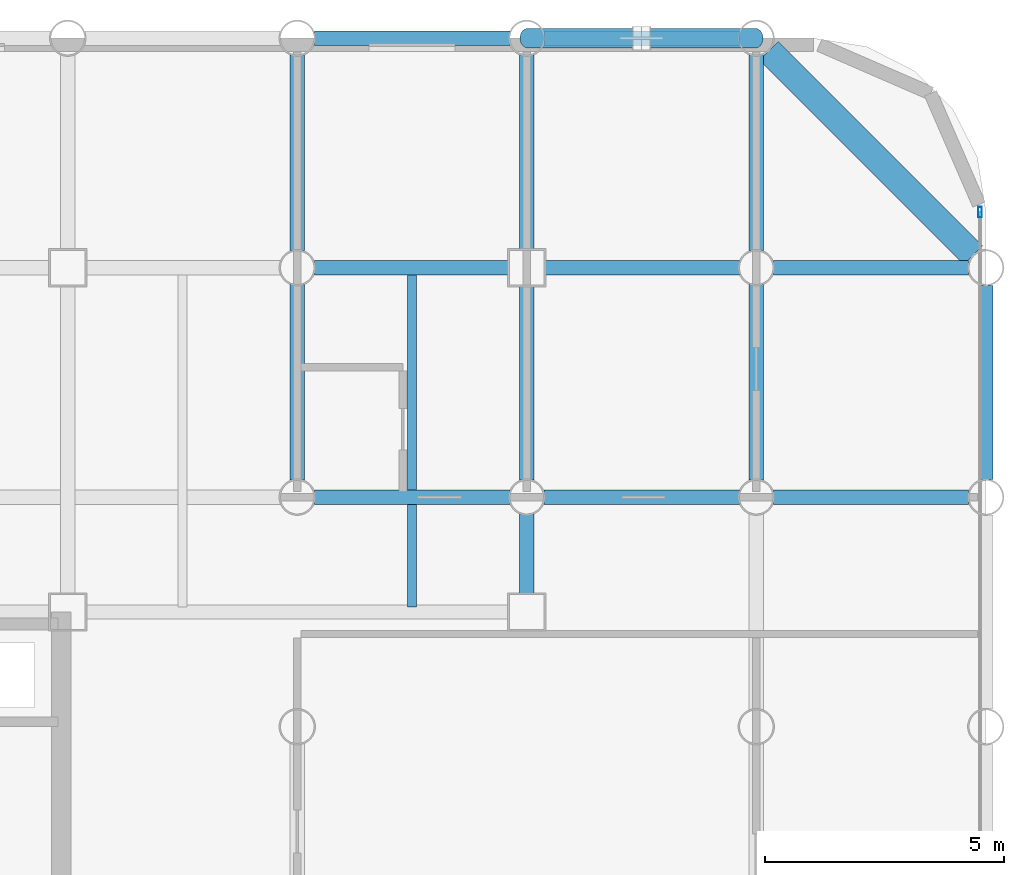
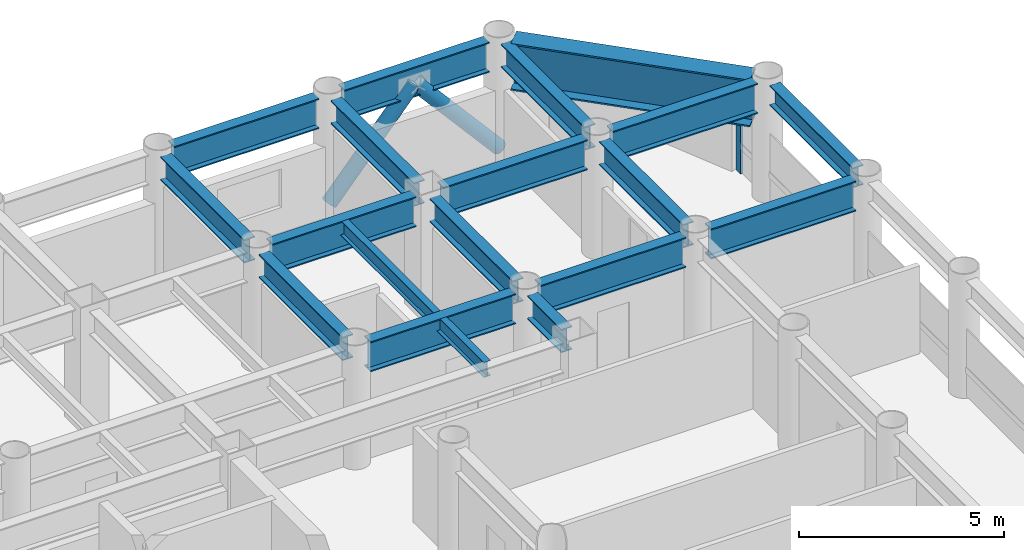
# One storey, part 13 of 19: 18 beams, 3 members, 1 element without a shape of its own.
"""IFC4 building model written with IfcOpenShell, lengths in metres."""

from ifc_helpers import new_model, si_unit, direction, frame, origin, origin_2d, place, context, subcontext, project, spatial, hollow_rectangle, hollow_circle, i_section, extrude, material, layer, layer_set, material_profile, profile_set, type_object, element, aggregate, save


model = new_model("IFC4")

# Units and contexts
model_context = context("Model", 3, precision=1e-05, world=origin(), true_north=direction((0.0, 1.0)))
body_context = subcontext(model_context, "Body", "Model", "MODEL_VIEW")
ifc_project = project(units=[si_unit("LENGTHUNIT", "METRE"), si_unit("AREAUNIT", "SQUARE_METRE"), si_unit("VOLUMEUNIT", "CUBIC_METRE"), si_unit("PLANEANGLEUNIT", "RADIAN"), si_unit("MASSUNIT", "GRAM", prefix="KILO")], contexts=[model_context])

# Site, building, storey
site_placement = place(None, origin())
site = spatial("IfcSite", under=ifc_project, at=site_placement, CompositionType="ELEMENT")
building_placement = place(site_placement, origin())
building = spatial("IfcBuilding", under=site, at=building_placement, Name="Kallvorn Hotel Tower", CompositionType="ELEMENT")
storey_placement = place(building_placement, frame((0.0, 0.0, 63.300048828125)))
storey = spatial("IfcBuildingStorey", under=building, at=storey_placement, Name="L14", CompositionType="ELEMENT", Elevation=63.300048828125)

# Beams
ifc_material_1 = material(Name="Structural steel S355JR", Category="steel")
ifc_material_profile_1 = material_profile(ifc_material_1, i_section(OverallWidth=0.300048828125, OverallDepth=0.60009765625, WebThickness=0.015380859375, FlangeThickness=0.030029296875, at=origin_2d()), Name="HE 600 B")
ifc_profile_set_1 = profile_set([ifc_material_profile_1], Name="Structural steel S355JR")
beam_type_1 = type_object("IfcBeamType", Name="BM_HE600B", PredefinedType="SPANDREL", material=ifc_profile_set_1)
beam_1_placement = place(storey_placement, frame((33.60009765625, 9.970947265625, 3.219970703125), z_axis=(0.0, 1.0, 0.0), x_axis=(-1.0, 0.0, 0.0)))
element("IfcBeam", 1, at=beam_1_placement, inside=storey, type_object=beam_type_1, Name="L15 Perimeter Spandrel 188", PredefinedType="SPANDREL", context=body_context, shape_type="SweptSolid", body=[
    extrude(i_section(OverallWidth=0.300048828125, OverallDepth=0.60009765625, WebThickness=0.015380859375, FlangeThickness=0.030029296875, at=origin_2d()), origin(), (0.0, 0.0, 1.0), 4.05810546875),
])
ifc_material_2 = material(Name="Structural steel S355JR", Category="steel")
ifc_material_profile_2 = material_profile(ifc_material_2, i_section(OverallWidth=0.300048828125, OverallDepth=0.699951171875, WebThickness=0.01708984375, FlangeThickness=0.031982421875, at=origin_2d()), Name="HE 700 B")
ifc_profile_set_2 = profile_set([ifc_material_profile_2], Name="Structural steel S355JR")
beam_type_2 = type_object("IfcBeamType", Name="BM_HE700B", PredefinedType="BEAM", material=ifc_profile_set_2)
for number, where, z_axis, x_axis, name in (
    (2, (19.199951171875, 9.9560546875, 3.169921875), (0.0, 1.0, 0.0), (-1.0, 0.0, 0.0), "L15 Primary Y-Girder 133"),
    (3, (19.199951171875, 14.756103515625, 3.169921875), (0.0, 1.0, 0.0), (-1.0, 0.0, 0.0), "L15 Primary Y-Girder 134"),
):
    element("IfcBeam", number, at=place(storey_placement, frame(where, z_axis=z_axis, x_axis=x_axis)), inside=storey, type_object=beam_type_2, Name=name, PredefinedType="BEAM", context=body_context, shape_type="SweptSolid", body=[
        extrude(i_section(OverallWidth=0.300048828125, OverallDepth=0.699951171875, WebThickness=0.01708984375, FlangeThickness=0.031982421875, at=origin_2d()), origin(), (0.0, 0.0, 1.0), 4.087890625),
    ])
beam_2_placement = place(storey_placement, frame((24.0, 7.574951171875, 3.169921875), z_axis=(0.0, 1.0, 0.0), x_axis=(-1.0, 0.0, 0.0)))
element("IfcBeam", 4, at=beam_2_placement, inside=storey, type_object=beam_type_2, Name="L15 Primary Y-Girder 139", PredefinedType="BEAM", context=body_context, shape_type="SweptSolid", body=[
    extrude(i_section(OverallWidth=0.300048828125, OverallDepth=0.699951171875, WebThickness=0.01708984375, FlangeThickness=0.031982421875, at=origin_2d()), origin(), (0.0, 0.0, 1.0), 1.6689453125),
])
beam_3_placement = place(storey_placement, frame((24.0, 9.9560546875, 3.169921875), z_axis=(0.0, 1.0, 0.0), x_axis=(-1.0, 0.0, 0.0)))
element("IfcBeam", 5, at=beam_3_placement, inside=storey, type_object=beam_type_2, Name="L15 Primary Y-Girder 140", PredefinedType="BEAM", context=body_context, shape_type="SweptSolid", body=[
    extrude(i_section(OverallWidth=0.300048828125, OverallDepth=0.699951171875, WebThickness=0.01708984375, FlangeThickness=0.031982421875, at=origin_2d()), origin(), (0.0, 0.0, 1.0), 4.06884765625),
])
beam_4_placement = place(storey_placement, frame((24.0, 14.77490234375, 3.169921875), z_axis=(0.0, 1.0, 0.0), x_axis=(-1.0, 0.0, 0.0)))
element("IfcBeam", 6, at=beam_4_placement, inside=storey, type_object=beam_type_2, Name="L15 Primary Y-Girder 141", PredefinedType="BEAM", context=body_context, shape_type="SweptSolid", body=[
    extrude(i_section(OverallWidth=0.300048828125, OverallDepth=0.699951171875, WebThickness=0.01708984375, FlangeThickness=0.031982421875, at=origin_2d()), origin(), (0.0, 0.0, 1.0), 4.069091796875),
])
for number, where, z_axis, x_axis, name in (
    (7, (28.800048828125, 9.9560546875, 3.169921875), (0.0, 1.0, 0.0), (-1.0, 0.0, 0.0), "L15 Primary Y-Girder 149"),
    (8, (28.800048828125, 14.756103515625, 3.169921875), (0.0, 1.0, 0.0), (-1.0, 0.0, 0.0), "L15 Primary Y-Girder 150"),
):
    element("IfcBeam", number, at=place(storey_placement, frame(where, z_axis=z_axis, x_axis=x_axis)), inside=storey, type_object=beam_type_2, Name=name, PredefinedType="BEAM", context=body_context, shape_type="SweptSolid", body=[
        extrude(i_section(OverallWidth=0.300048828125, OverallDepth=0.699951171875, WebThickness=0.01708984375, FlangeThickness=0.031982421875, at=origin_2d()), origin(), (0.0, 0.0, 1.0), 4.087890625),
    ])
ifc_material_3 = material(Name="Structural steel S355JR", Category="steel")
ifc_material_profile_3 = material_profile(ifc_material_3, i_section(OverallWidth=0.300048828125, OverallDepth=0.89990234375, WebThickness=0.0185546875, FlangeThickness=0.034912109375, at=origin_2d()), Name="HE 900 B")
ifc_profile_set_3 = profile_set([ifc_material_profile_3], Name="Structural steel S355JR")
beam_type_3 = type_object("IfcBeamType", Name="BM_HE900B", PredefinedType="BEAM", material=ifc_profile_set_3)
for number, where, z_axis, x_axis, name in (
    (9, (19.555908203125, 9.60009765625, 3.070068359375), (1.0, 0.0, 0.0), (0.0, 1.0, 0.0), "L15 Primary X-Girder 48"),
    (10, (24.35595703125, 9.60009765625, 3.070068359375), (1.0, 0.0, 0.0), (0.0, 1.0, 0.0), "L15 Primary X-Girder 49"),
):
    element("IfcBeam", number, at=place(storey_placement, frame(where, z_axis=z_axis, x_axis=x_axis)), inside=storey, type_object=beam_type_3, Name=name, PredefinedType="BEAM", context=body_context, shape_type="SweptSolid", body=[
        extrude(i_section(OverallWidth=0.300048828125, OverallDepth=0.89990234375, WebThickness=0.0185546875, FlangeThickness=0.034912109375, at=origin_2d()), origin(), (0.0, 0.0, 1.0), 4.088134765625),
    ])
beam_5_placement = place(storey_placement, frame((29.156005859375, 9.60009765625, 3.070068359375), z_axis=(1.0, 0.0, 0.0), x_axis=(0.0, 1.0, 0.0)))
element("IfcBeam", 11, at=beam_5_placement, inside=storey, type_object=beam_type_3, Name="L15 Primary X-Girder 50", PredefinedType="BEAM", context=body_context, shape_type="SweptSolid", body=[
    extrude(i_section(OverallWidth=0.300048828125, OverallDepth=0.89990234375, WebThickness=0.0185546875, FlangeThickness=0.034912109375, at=origin_2d()), origin(), (0.0, 0.0, 1.0), 4.087890625),
])
for number, where, z_axis, x_axis, name in (
    (12, (19.555908203125, 14.39990234375, 3.070068359375), (1.0, 0.0, 0.0), (0.0, 1.0, 0.0), "L15 Primary X-Girder 58"),
    (13, (24.375, 14.39990234375, 3.070068359375), (1.0, 0.0, 0.0), (0.0, 1.0, 0.0), "L15 Primary X-Girder 59"),
):
    element("IfcBeam", number, at=place(storey_placement, frame(where, z_axis=z_axis, x_axis=x_axis)), inside=storey, type_object=beam_type_3, Name=name, PredefinedType="BEAM", context=body_context, shape_type="SweptSolid", body=[
        extrude(i_section(OverallWidth=0.300048828125, OverallDepth=0.89990234375, WebThickness=0.0185546875, FlangeThickness=0.034912109375, at=origin_2d()), origin(), (0.0, 0.0, 1.0), 4.069091796875),
    ])
beam_6_placement = place(storey_placement, frame((29.156005859375, 14.39990234375, 3.070068359375), z_axis=(1.0, 0.0, 0.0), x_axis=(0.0, 1.0, 0.0)))
element("IfcBeam", 14, at=beam_6_placement, inside=storey, type_object=beam_type_3, Name="L15 Primary X-Girder 60", PredefinedType="BEAM", context=body_context, shape_type="SweptSolid", body=[
    extrude(i_section(OverallWidth=0.300048828125, OverallDepth=0.89990234375, WebThickness=0.0185546875, FlangeThickness=0.034912109375, at=origin_2d()), origin(), (0.0, 0.0, 1.0), 4.087890625),
])
for number, where, z_axis, x_axis, name in (
    (15, (19.555908203125, 19.199951171875, 3.070068359375), (1.0, 0.0, 0.0), (0.0, 1.0, 0.0), "L15 Primary X-Girder 71"),
    (16, (24.35595703125, 19.199951171875, 3.070068359375), (1.0, 0.0, 0.0), (0.0, 1.0, 0.0), "L15 Primary X-Girder 72"),
):
    element("IfcBeam", number, at=place(storey_placement, frame(where, z_axis=z_axis, x_axis=x_axis)), inside=storey, type_object=beam_type_3, Name=name, PredefinedType="BEAM", context=body_context, shape_type="SweptSolid", body=[
        extrude(i_section(OverallWidth=0.300048828125, OverallDepth=0.89990234375, WebThickness=0.0185546875, FlangeThickness=0.034912109375, at=origin_2d()), origin(), (0.0, 0.0, 1.0), 4.088134765625),
    ])
ifc_material_4 = material(Name="Structural steel S355JR", Category="steel")
ifc_material_profile_4 = material_profile(ifc_material_4, i_section(OverallWidth=0.18994140625, OverallDepth=0.449951171875, WebThickness=0.009521484375, FlangeThickness=0.0146484375, at=origin_2d()), Name="IPE 450")
ifc_profile_set_4 = profile_set([ifc_material_profile_4], Name="Structural steel S355JR")
beam_type_4 = type_object("IfcBeamType", Name="BM_IPE450", PredefinedType="JOIST", material=ifc_profile_set_4)
beam_7_placement = place(storey_placement, frame((21.60009765625, 7.300048828125, 3.294921875), z_axis=(0.0, 1.0, 0.0), x_axis=(-1.0, 0.0, 0.0)))
element("IfcBeam", 17, at=beam_7_placement, inside=storey, type_object=beam_type_4, Name="L15 Secondary Composite Joist 209", PredefinedType="JOIST", context=body_context, shape_type="SweptSolid", body=[
    extrude(i_section(OverallWidth=0.18994140625, OverallDepth=0.449951171875, WebThickness=0.009521484375, FlangeThickness=0.0146484375, at=origin_2d()), origin(), (0.0, 0.0, 1.0), 7.0),
])
ifc_material_5 = material(Name="Structural steel S355JR", Category="steel")
ifc_material_profile_5 = material_profile(ifc_material_5, i_section(OverallWidth=0.550048828125, OverallDepth=1.39990234375, WebThickness=0.02490234375, FlangeThickness=0.044921875, at=origin_2d()), Name="PG 1400x550x25x45")
ifc_profile_set_5 = profile_set([ifc_material_profile_5], Name="Structural steel S355JR")
beam_type_5 = type_object("IfcBeamType", Name="BM_PG_1400", PredefinedType="BEAM", material=ifc_profile_set_5)
beam_8_placement = place(storey_placement, frame((33.337646484375, 14.662353515625, 2.820068359375), z_axis=(-0.707106781187, 0.707106781187, 0.0), x_axis=(-0.707106781187, -0.707106781187, 0.0)))
element("IfcBeam", 18, at=beam_8_placement, inside=storey, type_object=beam_type_5, Name="L15 Rounded Corner Tie Beam 191", PredefinedType="BEAM", context=body_context, shape_type="SweptSolid", body=[
    extrude(i_section(OverallWidth=0.550048828125, OverallDepth=1.39990234375, WebThickness=0.02490234375, FlangeThickness=0.044921875, at=origin_2d()), origin(), (0.0, 0.0, 1.0), 6.04638671875),
])

# Curtain wall, member
ifc_material_6 = material(Name="Thermally broken black-anodised aluminium AA 6063-T6", Category="aluminium")
ifc_layer = layer(ifc_material_6, 0.199951171875)
ifc_layer_set = layer_set([ifc_layer], Name="CW_SYS_3_HOTEL_LOW")
curtain_wall_type = type_object("IfcCurtainWallType", Name="CW_SYS_3_HOTEL_LOW", PredefinedType="USERDEFINED", material=ifc_layer_set)
curtain_wall_placement = place(storey_placement, origin())
curtain_wall = element("IfcCurtainWall", 19, at=curtain_wall_placement, inside=storey, type_object=curtain_wall_type, Name="L14 Dark-Glass Curtain Wall CW-L14-EN", ObjectType="UNITISED CURTAIN WALL", PredefinedType="USERDEFINED")
ifc_material_7 = material(Name="Thermally broken black-anodised aluminium AA 6063-T6", Category="aluminium")
ifc_material_profile_6 = material_profile(ifc_material_7, hollow_rectangle(XDim=0.080078125, YDim=0.219970703125, WallThickness=0.0048828125, at=origin_2d()), Name="MUL 220x80")
ifc_profile_set_6 = profile_set([ifc_material_profile_6], Name="Thermally broken black-anodised aluminium AA 6063-T6")
member_type_1 = type_object("IfcMemberType", Name="CW_MULLION_220x80", PredefinedType="MULLION", material=ifc_profile_set_6)
member_placement = place(storey_placement, frame((33.47998046875, 15.56005859375, 0.02001953125), z_axis=(0.0, 0.0, 1.0), x_axis=(1.0, 0.0, 0.0)))
member = element("IfcMember", 20, at=member_placement, type_object=member_type_1, Name="CW-L14-EN Mullion 01", PredefinedType="MULLION", context=body_context, shape_type="SweptSolid", body=[
    extrude(hollow_rectangle(XDim=0.080078125, YDim=0.219970703125, WallThickness=0.0048828125, at=origin_2d()), origin(), (0.0, 0.0, 1.0), 2.079833984375),
])
aggregate(curtain_wall, [member])

# Members
ifc_material_8 = material(Name="Structural steel S355J2H", Category="steel")
ifc_material_profile_7 = material_profile(ifc_material_8, hollow_circle(Radius=0.203125, WallThickness=0.01611328125, at=origin_2d()), Name="CHS 406.4x16")
ifc_profile_set_7 = profile_set([ifc_material_profile_7], Name="Structural steel S355J2H")
member_type_2 = type_object("IfcMemberType", Name="MBR_EXO_CHS406", PredefinedType="BRACE", material=ifc_profile_set_7)
for number, where, z_axis, x_axis, name in (
    (21, (24.01318359375, 19.199951171875, 0.195068359375), (0.65346062529, 0.0, 0.756960508346), (0.0, 1.0, 0.0), "L14 Exoskeleton K-Brace N2A"),
    (22, (28.786865234375, 19.199951171875, 0.195068359375), (-0.65346062529, 0.0, 0.756960508346), (0.0, -1.0, 0.0), "L14 Exoskeleton K-Brace N2B"),
):
    element("IfcMember", number, at=place(storey_placement, frame(where, z_axis=z_axis, x_axis=x_axis)), inside=storey, type_object=member_type_2, Name=name, PredefinedType="BRACE", context=body_context, shape_type="SweptSolid", body=[
        extrude(hollow_circle(Radius=0.203125, WallThickness=0.01611328125, at=origin_2d()), origin(), (0.0, 0.0, 1.0), 3.632568359375),
    ])

save(model, "model.ifc")
